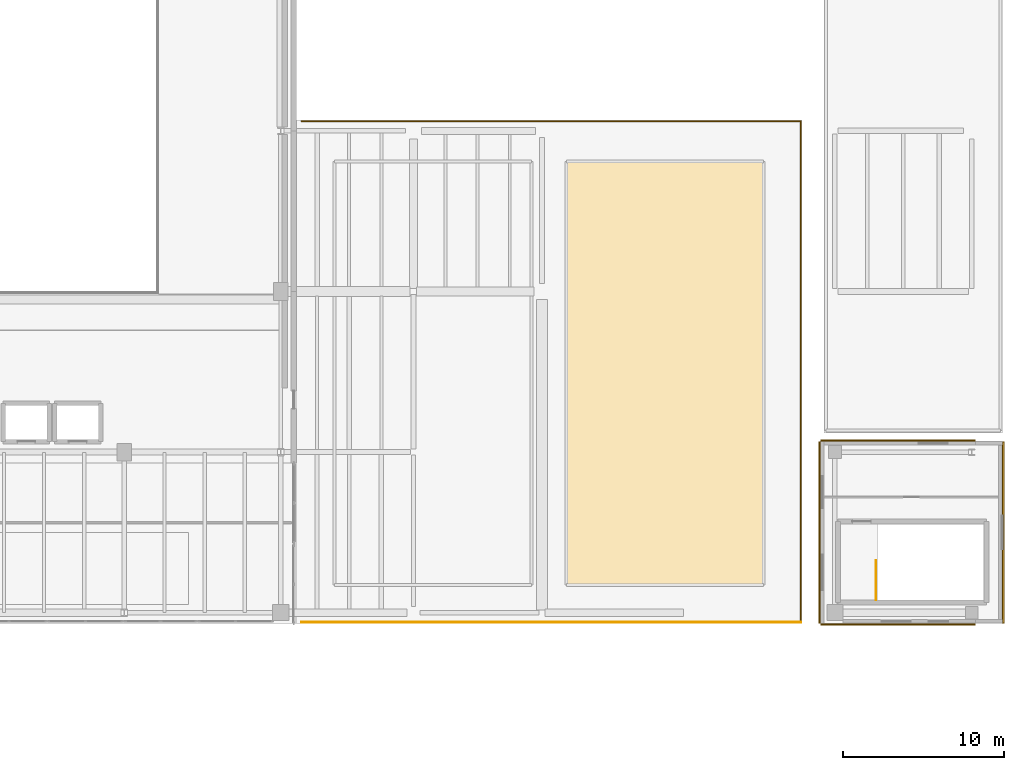
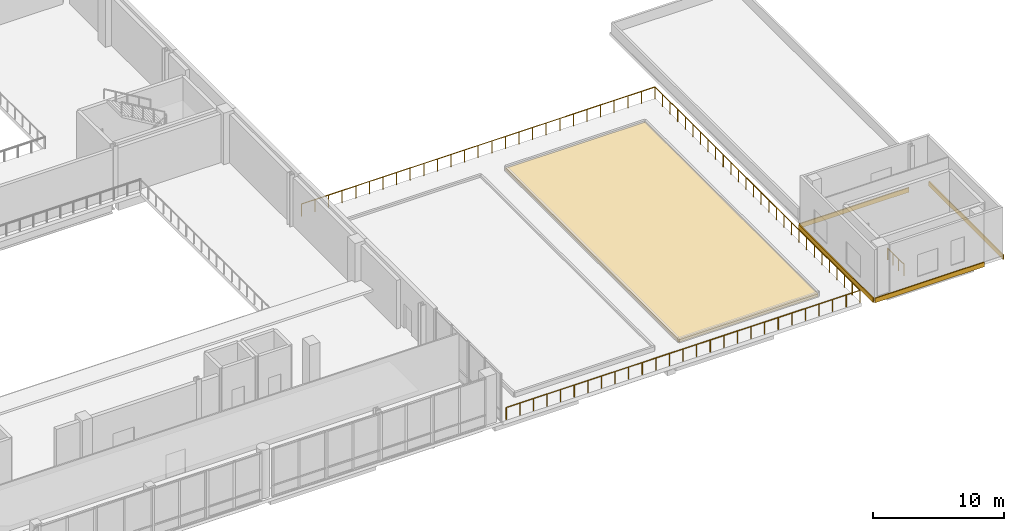
# One storey, part 41 of 41: 5 coverings, 3 railings.
"""IFC4 building model written with IfcOpenShell, lengths in metres."""

import ifcopenshell
import ifcopenshell.guid

model = None  # the IFC model being written
_history = None  # IfcOwnerHistory: only IFC2X3 demands one
_inside = {}  # id of a spatial element -> (the spatial element, [elements in it])
_under = {}  # id of a project, library or spatial element -> (it, [spatial elements below it])
_declared = {}  # id of a project -> (the project, [libraries it declares])
_typed = {}  # id of a type object -> (the type object, [elements of that type])
_made_of = {}  # id of a material, layer set ... -> (it, [elements and type objects made of it])


def new_model(schema):
    """Start an empty IFC model of exactly this schema.

    Asked for "IFC4X3", IfcOpenShell would pick the latest addendum, in which some entities
    have other attributes; the version numbers below select the first issue.
    IFC2X3 requires an IfcOwnerHistory on every rooted entity: one is made here for all.
    """
    global model, _history
    if schema == "IFC4X3":
        model = ifcopenshell.file(schema_version=(4, 3, 0, 0))
    else:
        model = ifcopenshell.file(schema=schema)
    _inside.clear()
    _under.clear()
    _declared.clear()
    _typed.clear()
    _made_of.clear()
    _history = None
    if model.schema == "IFC2X3":
        org = make("IfcOrganization", Name="unknown")
        user = make(
            "IfcPersonAndOrganization",
            ThePerson=make("IfcPerson", FamilyName="unknown"),
            TheOrganization=org,
        )
        app = make(
            "IfcApplication",
            ApplicationDeveloper=org,
            Version="unknown",
            ApplicationFullName="unknown",
            ApplicationIdentifier="unknown",
        )
        _history = make(
            "IfcOwnerHistory",
            OwningUser=user,
            OwningApplication=app,
            ChangeAction="ADDED",
            CreationDate=0,
        )
    return model


def make(cls, **values):
    """One entity of the class cls with the attributes given. An attribute that is None is left unset."""
    return model.create_entity(
        cls, **{name: value for name, value in values.items() if value is not None}
    )


def rooted(cls, **values):
    """An entity with a GlobalId (a new one), such as an element, a storey or a relation."""
    return make(cls, GlobalId=ifcopenshell.guid.new(), OwnerHistory=_history, **values)


def si_unit(unit_type, name, prefix=None):
    """IfcSIUnit, for example si_unit("LENGTHUNIT", "METRE", prefix="MILLI")."""
    return make("IfcSIUnit", UnitType=unit_type, Prefix=prefix, Name=name)


def assignment(units):
    """IfcUnitAssignment: the units of a project."""
    return None if units is None else make("IfcUnitAssignment", Units=units)


def point(xyz):
    """IfcCartesianPoint."""
    return None if xyz is None else make("IfcCartesianPoint", Coordinates=xyz)


def direction(xyz):
    """IfcDirection."""
    return None if xyz is None else make("IfcDirection", DirectionRatios=xyz)


def frame(location, z_axis=None, x_axis=None):
    """IfcAxis2Placement3D, a coordinate frame: its origin and axes. An axis left out is left unset."""
    return make(
        "IfcAxis2Placement3D",
        Location=point(location),
        Axis=direction(z_axis),
        RefDirection=direction(x_axis),
    )


def frame_2d(location, x_axis=None):
    """IfcAxis2Placement2D, a coordinate frame in the plane: its origin and x axis."""
    return make(
        "IfcAxis2Placement2D", Location=point(location), RefDirection=direction(x_axis)
    )


def origin():
    """The frame at (0, 0, 0) with its axes left unset."""
    return frame((0.0, 0.0, 0.0))


def origin_2d():
    """The frame at (0, 0) in the plane with its x axis left unset."""
    return frame_2d((0.0, 0.0))


def place(relative_to, where):
    """IfcLocalPlacement: puts the frame where relative to a parent placement (None: the world)."""
    return make(
        "IfcLocalPlacement", PlacementRelTo=relative_to, RelativePlacement=where
    )


def context(
    kind, dimensions, precision=None, world=None, true_north=None, identifier=None
):
    """IfcGeometricRepresentationContext, for example the 3D "Model" context."""
    return make(
        "IfcGeometricRepresentationContext",
        ContextIdentifier=identifier,
        ContextType=kind,
        CoordinateSpaceDimension=dimensions,
        Precision=precision,
        WorldCoordinateSystem=world,
        TrueNorth=true_north,
    )


def subcontext(parent, identifier, kind, view, scale=None):
    """IfcGeometricRepresentationSubContext, for example "Body" below "Model"."""
    return make(
        "IfcGeometricRepresentationSubContext",
        ContextIdentifier=identifier,
        ContextType=kind,
        ParentContext=parent,
        TargetScale=scale,
        TargetView=view,
    )


def project(units=None, contexts=None):
    """IfcProject with its units and contexts."""
    return rooted(
        "IfcProject",
        Name="project",
        RepresentationContexts=contexts,
        UnitsInContext=assignment(units),
    )


def spatial(cls, under=None, at=None, **own):
    """A site, building, storey or space (cls), placed at a placement, below another one or the project."""
    s = rooted(cls, ObjectPlacement=at, **own)
    if under is not None:
        _under.setdefault(under.id(), (under, []))[1].append(s)
    return s


def polyline(points):
    """IfcPolyline through the points."""
    return make("IfcPolyline", Points=[point(p) for p in points])


def profile(cls, at=None, kind="AREA", **sizes):
    """A parametric profile (cls). Its sizes go by their IFC names, for example OverallWidth=200.0."""
    return make(cls, ProfileType=kind, Position=at, **sizes)


def rectangle(**sizes):
    """IfcRectangleProfileDef."""
    return profile("IfcRectangleProfileDef", **sizes)


def circle(**sizes):
    """IfcCircleProfileDef."""
    return profile("IfcCircleProfileDef", **sizes)


def outline(outer, holes=None, kind="AREA"):
    """IfcArbitraryClosedProfileDef: a profile drawn as a closed curve; with holes, ...WithVoids."""
    if holes is None:
        return make("IfcArbitraryClosedProfileDef", ProfileType=kind, OuterCurve=outer)
    return make(
        "IfcArbitraryProfileDefWithVoids",
        ProfileType=kind,
        OuterCurve=outer,
        InnerCurves=holes,
    )


def extrude(swept, where, along, depth):
    """IfcExtrudedAreaSolid: the profile swept, set in the frame where, extruded along a direction by depth."""
    return make(
        "IfcExtrudedAreaSolid",
        SweptArea=swept,
        Position=where,
        ExtrudedDirection=direction(along),
        Depth=depth,
    )


def shape(context_of_items, identifier, shape_type, items):
    """IfcShapeRepresentation: the items that make up one representation, for example the "Body"."""
    return make(
        "IfcShapeRepresentation",
        ContextOfItems=context_of_items,
        RepresentationIdentifier=identifier,
        RepresentationType=shape_type,
        Items=items,
    )


def material(Name=None, Category=None):
    """IfcMaterial."""
    return make("IfcMaterial", Name=Name, Category=Category)


def layer(
    of_material, thickness, ventilated=None, Name=None, Category=None, Priority=None
):
    """IfcMaterialLayer: one layer of a wall or slab, of a material (None: an air gap)."""
    return make(
        "IfcMaterialLayer",
        Material=of_material,
        LayerThickness=thickness,
        IsVentilated=ventilated,
        Name=Name,
        Category=Category,
        Priority=Priority,
    )


def layer_set(layers, Name=None):
    """IfcMaterialLayerSet."""
    return make("IfcMaterialLayerSet", MaterialLayers=layers, LayerSetName=Name)


def made_of(thing, what):
    """Note that an element or type object is made of a material, layer set ...; save() writes the relation."""
    if what is not None:
        _made_of.setdefault(what.id(), (what, []))[1].append(thing)
    return thing


def type_object(cls, material=None, **own):
    """A type object (cls), such as IfcWallType, which elements share."""
    return made_of(rooted(cls, **own), material)


def element(
    cls,
    number,
    at=None,
    inside=None,
    cuts=None,
    type_object=None,
    material=None,
    context=None,
    identifier="Body",
    shape_type=None,
    held_by="IfcProductDefinitionShape",
    body=None,
    shapes=None,
    **own,
):
    """One element of the class cls, such as IfcWall. Its Tag is "e" and its number.

    at: its placement. inside: the storey or other place that contains it. cuts: it is an
    opening in that element (IfcRelVoidsElement). A single representation is given by context,
    identifier, shape_type and body (its items); several are given by shapes. held_by: the class
    of the entity that holds the representations. save() writes the other relations.
    """
    e = rooted(cls, Tag="e%d" % number, ObjectPlacement=at, **own)
    if body is not None:
        shapes = [shape(context, identifier, shape_type, body)]
    if shapes is not None:
        e.Representation = make(held_by, Representations=shapes)
    if inside is not None:
        _inside.setdefault(inside.id(), (inside, []))[1].append(e)
    if cuts is not None:
        rooted(
            "IfcRelVoidsElement", RelatingBuildingElement=cuts, RelatedOpeningElement=e
        )
    if type_object is not None:
        _typed.setdefault(type_object.id(), (type_object, []))[1].append(e)
    return made_of(e, material)


def aggregate(whole, parts):
    """IfcRelAggregates: a whole, such as a stair, and the parts it consists of."""
    return rooted("IfcRelAggregates", RelatingObject=whole, RelatedObjects=parts)


def save(model, path):
    """Write the relations noted so far, then the file.

    IfcRelAggregates (storeys below a building ...), IfcRelContainedInSpatialStructure (elements
    in a storey), IfcRelDefinesByType, IfcRelAssociatesMaterial and IfcRelDeclares: one each for
    every whole, place, type object, material and project.
    """
    for whole, parts in _under.values():
        aggregate(whole, parts)
    for where, things in _inside.values():
        rooted(
            "IfcRelContainedInSpatialStructure",
            RelatedElements=things,
            RelatingStructure=where,
        )
    for kind, things in _typed.values():
        rooted("IfcRelDefinesByType", RelatedObjects=things, RelatingType=kind)
    for what, things in _made_of.values():
        rooted("IfcRelAssociatesMaterial", RelatedObjects=things, RelatingMaterial=what)
    for by, libraries in _declared.values():
        rooted("IfcRelDeclares", RelatingContext=by, RelatedDefinitions=libraries)
    model.write(path)


model = new_model("IFC4")

# Units and contexts
model_context = context("Model", 3, precision=1e-05, world=origin(), true_north=direction((0.0, 1.0)))
body_context = subcontext(model_context, "Body", "Model", "MODEL_VIEW")
ifc_project = project(units=[si_unit("LENGTHUNIT", "METRE"), si_unit("AREAUNIT", "SQUARE_METRE"), si_unit("VOLUMEUNIT", "CUBIC_METRE"), si_unit("PLANEANGLEUNIT", "RADIAN"), si_unit("MASSUNIT", "GRAM", prefix="KILO")], contexts=[model_context])

# Site, building, storey
site_placement = place(None, origin())
site = spatial("IfcSite", under=ifc_project, at=site_placement, CompositionType="ELEMENT")
building_placement = place(site_placement, origin())
building = spatial("IfcBuilding", under=site, at=building_placement, Name="Trimount Lyric Opera House", CompositionType="ELEMENT")
storey_placement = place(building_placement, frame((0.0, 0.0, 20.0)))
storey = spatial("IfcBuildingStorey", under=building, at=storey_placement, Name="L04", CompositionType="ELEMENT", Elevation=20.0)

# Coverings
ifc_material_1 = material(Name="Architectural Precast Concrete Spandrel Band", Category="concrete")
ifc_layer_1 = layer(ifc_material_1, 0.094970703125)
ifc_layer_set_1 = layer_set([ifc_layer_1], Name="CLD-WING1")
covering_type_1 = type_object("IfcCoveringType", Name="CLD-WING1", PredefinedType="CLADDING", material=ifc_layer_set_1)
covering_1_placement = place(storey_placement, frame((152.159912109375, 43.278564453125, -0.369873046875), z_axis=(0.0, 0.0, 1.0), x_axis=(-1.0, 0.0, 0.0)))
element("IfcCovering", 1, at=covering_1_placement, inside=storey, type_object=covering_type_1, Name="L04 precast slab-edge spandrel 316", PredefinedType="CLADDING", context=body_context, shape_type="SweptSolid", body=[
    extrude(rectangle(XDim=9.6201171875, YDim=0.094970703125, at=origin_2d()), origin(), (0.0, 0.0, 1.0), 0.419921875),
])
covering_2_placement = place(storey_placement, frame((147.278564453125, 49.0, -0.369873046875), z_axis=(0.0, 0.0, 1.0), x_axis=(0.0, 1.0, 0.0)))
element("IfcCovering", 2, at=covering_2_placement, inside=storey, type_object=covering_type_1, Name="L04 precast slab-edge spandrel 317", PredefinedType="CLADDING", context=body_context, shape_type="SweptSolid", body=[
    extrude(rectangle(XDim=11.300048828125, YDim=0.094970703125, at=origin_2d()), origin(), (0.0, 0.0, 1.0), 0.419921875),
])
covering_3_placement = place(storey_placement, frame((152.159912109375, 54.721435546875, -0.369873046875), z_axis=(0.0, 0.0, 1.0), x_axis=(1.0, 0.0, 0.0)))
element("IfcCovering", 3, at=covering_3_placement, inside=storey, type_object=covering_type_1, Name="L04 precast slab-edge spandrel 318", PredefinedType="CLADDING", context=body_context, shape_type="SweptSolid", body=[
    extrude(rectangle(XDim=9.6201171875, YDim=0.094970703125, at=origin_2d()), origin(), (0.0, 0.0, 1.0), 0.419921875),
])
covering_4_placement = place(storey_placement, frame((158.721435546875, 49.0, -0.369873046875), z_axis=(0.0, 0.0, 1.0), x_axis=(0.0, -1.0, 0.0)))
element("IfcCovering", 4, at=covering_4_placement, inside=storey, type_object=covering_type_1, Name="L04 precast slab-edge spandrel 320", PredefinedType="CLADDING", context=body_context, shape_type="SweptSolid", body=[
    extrude(rectangle(XDim=11.300048828125, YDim=0.094970703125, at=origin_2d()), origin(), (0.0, 0.0, 1.0), 0.419921875),
])
ifc_material_2 = material(Name="Intensive Planted Sedum and Perennial Roof Garden")
ifc_layer_2 = layer(ifc_material_2, 0.219970703125)
ifc_layer_set_2 = layer_set([ifc_layer_2], Name="RFG-GRDN1")
covering_type_2 = type_object("IfcCoveringType", Name="RFG-GRDN1", PredefinedType="ROOFING", material=ifc_layer_set_2)
covering_5_placement = place(storey_placement, origin())
element("IfcCovering", 5, at=covering_5_placement, inside=storey, type_object=covering_type_2, Name="East Workshop Roof Garden planted sedum and perennial bed 2", PredefinedType="ROOFING", context=body_context, shape_type="SweptSolid", body=[
    extrude(outline(polyline([(131.5400390625, 45.719970703125), (143.800048828125, 45.719970703125), (143.800048828125, 72.080078125), (131.5400390625, 72.080078125), (131.5400390625, 45.719970703125)])), origin(), (0.0, 0.0, 1.0), 0.219970703125),
])

# Railings
ifc_material_3 = material(Name="Brushed Stainless Steel 316", Category="steel")
railing_type_1 = type_object("IfcRailingType", Name="RL-GRD110", PredefinedType="GUARDRAIL", material=ifc_material_3)
railing_1_placement = place(storey_placement, frame((150.800048828125, 44.800048828125, 0.0)))
element("IfcRailing", 6, at=railing_1_placement, inside=storey, type_object=railing_type_1, Name="L04 ST-05 top well guard 1", PredefinedType="GUARDRAIL", context=body_context, shape_type="SweptSolid", body=[
    extrude(circle(Radius=0.02392578125, at=origin_2d()), frame((0.0, 0.0, 1.076171875), z_axis=(0.0, 1.0, 0.0), x_axis=(-1.0, 0.0, 0.0)), (0.0, 0.0, 1.0), 2.449951171875),
    extrude(circle(Radius=0.02099609375, at=origin_2d()), origin(), (0.0, 0.0, 1.0), 1.052001953125),
    extrude(circle(Radius=0.02099609375, at=origin_2d()), frame((0.0, 0.816650390625, 0.0)), (0.0, 0.0, 1.0), 1.052001953125),
    extrude(circle(Radius=0.02099609375, at=origin_2d()), frame((0.0, 1.63330078125, 0.0)), (0.0, 0.0, 1.0), 1.052001953125),
    extrude(circle(Radius=0.02099609375, at=origin_2d()), frame((0.0, 2.449951171875, 0.0)), (0.0, 0.0, 1.0), 1.052001953125),
])
ifc_material_4 = material(Name="Laminated Glass and Stainless Steel", Category="steel")
railing_type_2 = type_object("IfcRailingType", Name="RL-GRD115", PredefinedType="GUARDRAIL", material=ifc_material_4)
railing_2_placement = place(storey_placement, frame((146.1201171875, 43.39990234375, 0.0)))
element("IfcRailing", 7, at=railing_2_placement, inside=storey, type_object=railing_type_2, Name="East Workshop Roof Garden perimeter guardrail 1", PredefinedType="GUARDRAIL", context=body_context, shape_type="SweptSolid", body=[
    extrude(circle(Radius=0.02392578125, at=origin_2d()), frame((0.0, 0.0, 1.1259765625), z_axis=(-1.0, 0.0, 0.0), x_axis=(0.0, -1.0, 0.0)), (0.0, 0.0, 1.0), 31.090087890625),
    extrude(circle(Radius=0.02099609375, at=origin_2d()), origin(), (0.0, 0.0, 1.0), 1.101806640625),
    extrude(circle(Radius=0.02099609375, at=origin_2d()), frame((-1.19580078125, 0.0, 0.0)), (0.0, 0.0, 1.0), 1.101806640625),
    extrude(circle(Radius=0.02099609375, at=origin_2d()), frame((-2.3916015625, 0.0, 0.0)), (0.0, 0.0, 1.0), 1.101806640625),
    extrude(circle(Radius=0.02099609375, at=origin_2d()), frame((-3.58740234375, 0.0, 0.0)), (0.0, 0.0, 1.0), 1.101806640625),
    extrude(circle(Radius=0.02099609375, at=origin_2d()), frame((-4.783203125, 0.0, 0.0)), (0.0, 0.0, 1.0), 1.101806640625),
    extrude(circle(Radius=0.02099609375, at=origin_2d()), frame((-5.978759765625, 0.0, 0.0)), (0.0, 0.0, 1.0), 1.101806640625),
    extrude(circle(Radius=0.02099609375, at=origin_2d()), frame((-7.174560546875, 0.0, 0.0)), (0.0, 0.0, 1.0), 1.101806640625),
    extrude(circle(Radius=0.02099609375, at=origin_2d()), frame((-8.370361328125, 0.0, 0.0)), (0.0, 0.0, 1.0), 1.101806640625),
    extrude(circle(Radius=0.02099609375, at=origin_2d()), frame((-9.566162109375, 0.0, 0.0)), (0.0, 0.0, 1.0), 1.101806640625),
    extrude(circle(Radius=0.02099609375, at=origin_2d()), frame((-10.761962890625, 0.0, 0.0)), (0.0, 0.0, 1.0), 1.101806640625),
    extrude(circle(Radius=0.02099609375, at=origin_2d()), frame((-11.957763671875, 0.0, 0.0)), (0.0, 0.0, 1.0), 1.101806640625),
    extrude(circle(Radius=0.02099609375, at=origin_2d()), frame((-13.153564453125, 0.0, 0.0)), (0.0, 0.0, 1.0), 1.101806640625),
    extrude(circle(Radius=0.02099609375, at=origin_2d()), frame((-14.349365234375, 0.0, 0.0)), (0.0, 0.0, 1.0), 1.101806640625),
    extrude(circle(Radius=0.02099609375, at=origin_2d()), frame((-15.544921875, 0.0, 0.0)), (0.0, 0.0, 1.0), 1.101806640625),
    extrude(circle(Radius=0.02099609375, at=origin_2d()), frame((-16.74072265625, 0.0, 0.0)), (0.0, 0.0, 1.0), 1.101806640625),
    extrude(circle(Radius=0.02099609375, at=origin_2d()), frame((-17.9365234375, 0.0, 0.0)), (0.0, 0.0, 1.0), 1.101806640625),
    extrude(circle(Radius=0.02099609375, at=origin_2d()), frame((-19.13232421875, 0.0, 0.0)), (0.0, 0.0, 1.0), 1.101806640625),
    extrude(circle(Radius=0.02099609375, at=origin_2d()), frame((-20.328125, 0.0, 0.0)), (0.0, 0.0, 1.0), 1.101806640625),
    extrude(circle(Radius=0.02099609375, at=origin_2d()), frame((-21.52392578125, 0.0, 0.0)), (0.0, 0.0, 1.0), 1.101806640625),
    extrude(circle(Radius=0.02099609375, at=origin_2d()), frame((-22.7197265625, 0.0, 0.0)), (0.0, 0.0, 1.0), 1.101806640625),
    extrude(circle(Radius=0.02099609375, at=origin_2d()), frame((-23.91552734375, 0.0, 0.0)), (0.0, 0.0, 1.0), 1.101806640625),
    extrude(circle(Radius=0.02099609375, at=origin_2d()), frame((-25.111328125, 0.0, 0.0)), (0.0, 0.0, 1.0), 1.101806640625),
    extrude(circle(Radius=0.02099609375, at=origin_2d()), frame((-26.306884765625, 0.0, 0.0)), (0.0, 0.0, 1.0), 1.101806640625),
    extrude(circle(Radius=0.02099609375, at=origin_2d()), frame((-27.502685546875, 0.0, 0.0)), (0.0, 0.0, 1.0), 1.101806640625),
    extrude(circle(Radius=0.02099609375, at=origin_2d()), frame((-28.698486328125, 0.0, 0.0)), (0.0, 0.0, 1.0), 1.101806640625),
    extrude(circle(Radius=0.02099609375, at=origin_2d()), frame((-29.894287109375, 0.0, 0.0)), (0.0, 0.0, 1.0), 1.101806640625),
    extrude(circle(Radius=0.02099609375, at=origin_2d()), frame((-31.090087890625, 0.0, 0.0)), (0.0, 0.0, 1.0), 1.101806640625),
])
railing_3_placement = place(storey_placement, frame((115.030029296875, 74.60009765625, 0.0)))
element("IfcRailing", 8, at=railing_3_placement, inside=storey, type_object=railing_type_2, Name="East Workshop Roof Garden perimeter guardrail 2", PredefinedType="GUARDRAIL", context=body_context, shape_type="SweptSolid", body=[
    extrude(circle(Radius=0.02392578125, at=origin_2d()), frame((0.0, 0.0, 1.1259765625), z_axis=(1.0, 0.0, 0.0), x_axis=(0.0, 1.0, 0.0)), (0.0, 0.0, 1.0), 31.090087890625),
    extrude(circle(Radius=0.02392578125, at=origin_2d()), frame((31.090087890625, 0.0, 1.1259765625), z_axis=(0.0, -1.0, 0.0), x_axis=(1.0, 0.0, 0.0)), (0.0, 0.0, 1.0), 31.2001953125),
    extrude(circle(Radius=0.02099609375, at=origin_2d()), origin(), (0.0, 0.0, 1.0), 1.101806640625),
    extrude(circle(Radius=0.02099609375, at=origin_2d()), frame((1.19580078125, 0.0, 0.0)), (0.0, 0.0, 1.0), 1.101806640625),
    extrude(circle(Radius=0.02099609375, at=origin_2d()), frame((2.3916015625, 0.0, 0.0)), (0.0, 0.0, 1.0), 1.101806640625),
    extrude(circle(Radius=0.02099609375, at=origin_2d()), frame((3.58740234375, 0.0, 0.0)), (0.0, 0.0, 1.0), 1.101806640625),
    extrude(circle(Radius=0.02099609375, at=origin_2d()), frame((4.783203125, 0.0, 0.0)), (0.0, 0.0, 1.0), 1.101806640625),
    extrude(circle(Radius=0.02099609375, at=origin_2d()), frame((5.978759765625, 0.0, 0.0)), (0.0, 0.0, 1.0), 1.101806640625),
    extrude(circle(Radius=0.02099609375, at=origin_2d()), frame((7.174560546875, 0.0, 0.0)), (0.0, 0.0, 1.0), 1.101806640625),
    extrude(circle(Radius=0.02099609375, at=origin_2d()), frame((8.370361328125, 0.0, 0.0)), (0.0, 0.0, 1.0), 1.101806640625),
    extrude(circle(Radius=0.02099609375, at=origin_2d()), frame((9.566162109375, 0.0, 0.0)), (0.0, 0.0, 1.0), 1.101806640625),
    extrude(circle(Radius=0.02099609375, at=origin_2d()), frame((10.761962890625, 0.0, 0.0)), (0.0, 0.0, 1.0), 1.101806640625),
    extrude(circle(Radius=0.02099609375, at=origin_2d()), frame((11.957763671875, 0.0, 0.0)), (0.0, 0.0, 1.0), 1.101806640625),
    extrude(circle(Radius=0.02099609375, at=origin_2d()), frame((13.153564453125, 0.0, 0.0)), (0.0, 0.0, 1.0), 1.101806640625),
    extrude(circle(Radius=0.02099609375, at=origin_2d()), frame((14.349365234375, 0.0, 0.0)), (0.0, 0.0, 1.0), 1.101806640625),
    extrude(circle(Radius=0.02099609375, at=origin_2d()), frame((15.544921875, 0.0, 0.0)), (0.0, 0.0, 1.0), 1.101806640625),
    extrude(circle(Radius=0.02099609375, at=origin_2d()), frame((16.74072265625, 0.0, 0.0)), (0.0, 0.0, 1.0), 1.101806640625),
    extrude(circle(Radius=0.02099609375, at=origin_2d()), frame((17.9365234375, 0.0, 0.0)), (0.0, 0.0, 1.0), 1.101806640625),
    extrude(circle(Radius=0.02099609375, at=origin_2d()), frame((19.13232421875, 0.0, 0.0)), (0.0, 0.0, 1.0), 1.101806640625),
    extrude(circle(Radius=0.02099609375, at=origin_2d()), frame((20.328125, 0.0, 0.0)), (0.0, 0.0, 1.0), 1.101806640625),
    extrude(circle(Radius=0.02099609375, at=origin_2d()), frame((21.52392578125, 0.0, 0.0)), (0.0, 0.0, 1.0), 1.101806640625),
    extrude(circle(Radius=0.02099609375, at=origin_2d()), frame((22.7197265625, 0.0, 0.0)), (0.0, 0.0, 1.0), 1.101806640625),
    extrude(circle(Radius=0.02099609375, at=origin_2d()), frame((23.91552734375, 0.0, 0.0)), (0.0, 0.0, 1.0), 1.101806640625),
    extrude(circle(Radius=0.02099609375, at=origin_2d()), frame((25.111328125, 0.0, 0.0)), (0.0, 0.0, 1.0), 1.101806640625),
    extrude(circle(Radius=0.02099609375, at=origin_2d()), frame((26.306884765625, 0.0, 0.0)), (0.0, 0.0, 1.0), 1.101806640625),
    extrude(circle(Radius=0.02099609375, at=origin_2d()), frame((27.502685546875, 0.0, 0.0)), (0.0, 0.0, 1.0), 1.101806640625),
    extrude(circle(Radius=0.02099609375, at=origin_2d()), frame((28.698486328125, 0.0, 0.0)), (0.0, 0.0, 1.0), 1.101806640625),
    extrude(circle(Radius=0.02099609375, at=origin_2d()), frame((29.894287109375, 0.0, 0.0)), (0.0, 0.0, 1.0), 1.101806640625),
    extrude(circle(Radius=0.02099609375, at=origin_2d()), frame((31.090087890625, 0.0, 0.0)), (0.0, 0.0, 1.0), 1.101806640625),
    extrude(circle(Radius=0.02099609375, at=origin_2d()), frame((31.090087890625, -1.155517578125, 0.0)), (0.0, 0.0, 1.0), 1.101806640625),
    extrude(circle(Radius=0.02099609375, at=origin_2d()), frame((31.090087890625, -2.31103515625, 0.0)), (0.0, 0.0, 1.0), 1.101806640625),
    extrude(circle(Radius=0.02099609375, at=origin_2d()), frame((31.090087890625, -3.466796875, 0.0)), (0.0, 0.0, 1.0), 1.101806640625),
    extrude(circle(Radius=0.02099609375, at=origin_2d()), frame((31.090087890625, -4.622314453125, 0.0)), (0.0, 0.0, 1.0), 1.101806640625),
    extrude(circle(Radius=0.02099609375, at=origin_2d()), frame((31.090087890625, -5.77783203125, 0.0)), (0.0, 0.0, 1.0), 1.101806640625),
    extrude(circle(Radius=0.02099609375, at=origin_2d()), frame((31.090087890625, -6.933349609375, 0.0)), (0.0, 0.0, 1.0), 1.101806640625),
    extrude(circle(Radius=0.02099609375, at=origin_2d()), frame((31.090087890625, -8.0888671875, 0.0)), (0.0, 0.0, 1.0), 1.101806640625),
    extrude(circle(Radius=0.02099609375, at=origin_2d()), frame((31.090087890625, -9.244384765625, 0.0)), (0.0, 0.0, 1.0), 1.101806640625),
    extrude(circle(Radius=0.02099609375, at=origin_2d()), frame((31.090087890625, -10.400146484375, 0.0)), (0.0, 0.0, 1.0), 1.101806640625),
    extrude(circle(Radius=0.02099609375, at=origin_2d()), frame((31.090087890625, -11.5556640625, 0.0)), (0.0, 0.0, 1.0), 1.101806640625),
    extrude(circle(Radius=0.02099609375, at=origin_2d()), frame((31.090087890625, -12.711181640625, 0.0)), (0.0, 0.0, 1.0), 1.101806640625),
    extrude(circle(Radius=0.02099609375, at=origin_2d()), frame((31.090087890625, -13.86669921875, 0.0)), (0.0, 0.0, 1.0), 1.101806640625),
    extrude(circle(Radius=0.02099609375, at=origin_2d()), frame((31.090087890625, -15.022216796875, 0.0)), (0.0, 0.0, 1.0), 1.101806640625),
    extrude(circle(Radius=0.02099609375, at=origin_2d()), frame((31.090087890625, -16.177978515625, 0.0)), (0.0, 0.0, 1.0), 1.101806640625),
    extrude(circle(Radius=0.02099609375, at=origin_2d()), frame((31.090087890625, -17.33349609375, 0.0)), (0.0, 0.0, 1.0), 1.101806640625),
    extrude(circle(Radius=0.02099609375, at=origin_2d()), frame((31.090087890625, -18.489013671875, 0.0)), (0.0, 0.0, 1.0), 1.101806640625),
    extrude(circle(Radius=0.02099609375, at=origin_2d()), frame((31.090087890625, -19.64453125, 0.0)), (0.0, 0.0, 1.0), 1.101806640625),
    extrude(circle(Radius=0.02099609375, at=origin_2d()), frame((31.090087890625, -20.800048828125, 0.0)), (0.0, 0.0, 1.0), 1.101806640625),
    extrude(circle(Radius=0.02099609375, at=origin_2d()), frame((31.090087890625, -21.955810546875, 0.0)), (0.0, 0.0, 1.0), 1.101806640625),
    extrude(circle(Radius=0.02099609375, at=origin_2d()), frame((31.090087890625, -23.111328125, 0.0)), (0.0, 0.0, 1.0), 1.101806640625),
    extrude(circle(Radius=0.02099609375, at=origin_2d()), frame((31.090087890625, -24.266845703125, 0.0)), (0.0, 0.0, 1.0), 1.101806640625),
    extrude(circle(Radius=0.02099609375, at=origin_2d()), frame((31.090087890625, -25.42236328125, 0.0)), (0.0, 0.0, 1.0), 1.101806640625),
    extrude(circle(Radius=0.02099609375, at=origin_2d()), frame((31.090087890625, -26.577880859375, 0.0)), (0.0, 0.0, 1.0), 1.101806640625),
    extrude(circle(Radius=0.02099609375, at=origin_2d()), frame((31.090087890625, -27.7333984375, 0.0)), (0.0, 0.0, 1.0), 1.101806640625),
    extrude(circle(Radius=0.02099609375, at=origin_2d()), frame((31.090087890625, -28.88916015625, 0.0)), (0.0, 0.0, 1.0), 1.101806640625),
    extrude(circle(Radius=0.02099609375, at=origin_2d()), frame((31.090087890625, -30.044677734375, 0.0)), (0.0, 0.0, 1.0), 1.101806640625),
    extrude(circle(Radius=0.02099609375, at=origin_2d()), frame((31.090087890625, -31.2001953125, 0.0)), (0.0, 0.0, 1.0), 1.101806640625),
])

save(model, "model.ifc")
